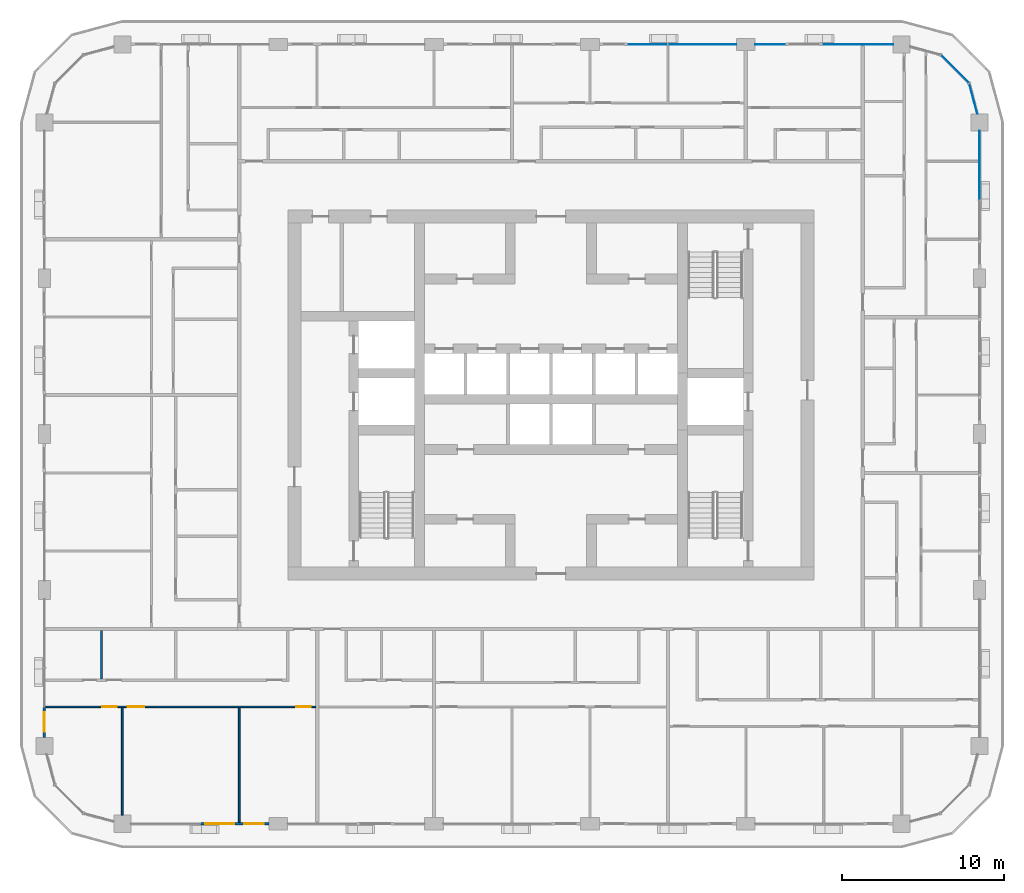
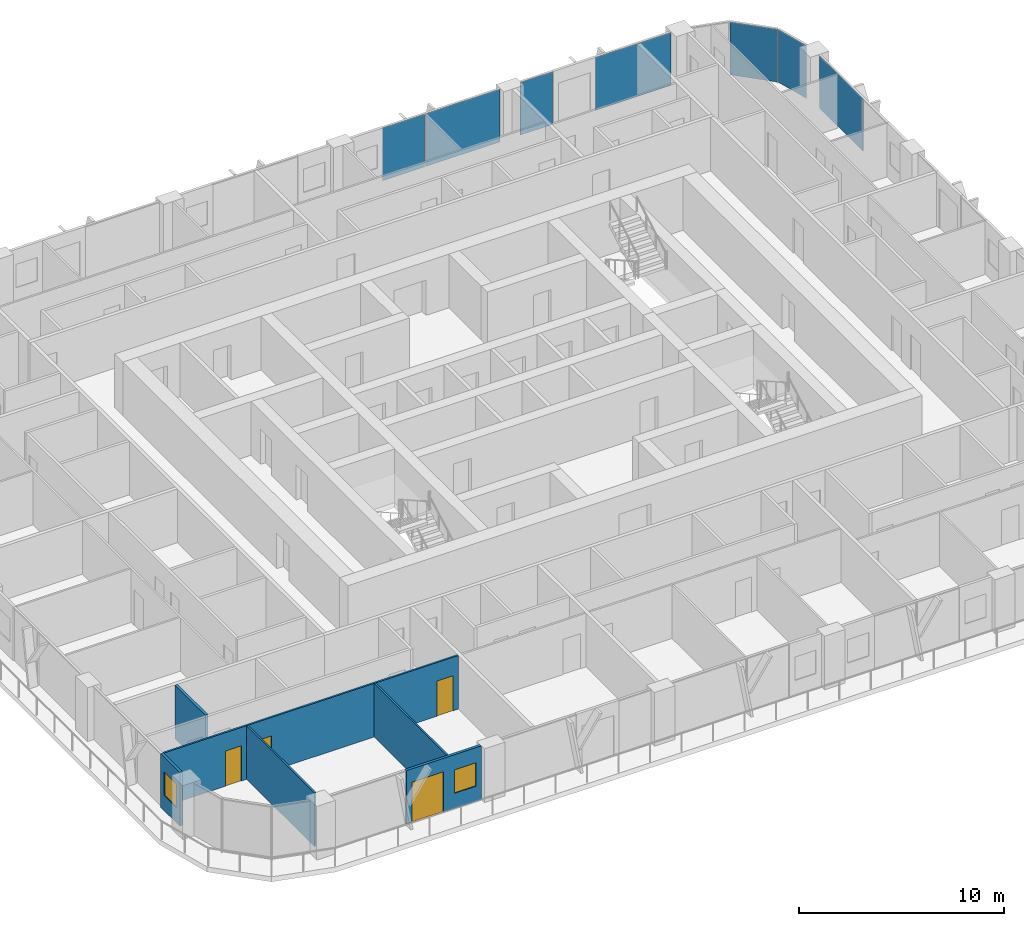
# One storey, part 8 of 22: 7 plates, 6 walls, 4 doors, 2 windows, 6 openings, 4 elements without a shape of their own.
"""IFC4 building model written with IfcOpenShell, lengths in metres."""

from ifc_helpers import new_model, si_unit, direction, frame, frame_2d, origin, origin_2d, place, context, subcontext, project, spatial, rectangle, extrude, material, layer, layer_set, type_object, element, fill, aggregate, save


model = new_model("IFC4")

# Units and contexts
model_context = context("Model", 3, precision=1e-05, world=origin(), true_north=direction((0.0, 1.0)))
body_context = subcontext(model_context, "Body", "Model", "MODEL_VIEW")
ifc_project = project(units=[si_unit("LENGTHUNIT", "METRE"), si_unit("AREAUNIT", "SQUARE_METRE"), si_unit("VOLUMEUNIT", "CUBIC_METRE"), si_unit("PLANEANGLEUNIT", "RADIAN"), si_unit("MASSUNIT", "GRAM", prefix="KILO")], contexts=[model_context])

# Site, building, storey
site_placement = place(None, origin())
site = spatial("IfcSite", under=ifc_project, at=site_placement, CompositionType="ELEMENT")
building_placement = place(site_placement, origin())
building = spatial("IfcBuilding", under=site, at=building_placement, Name="Madar Terraces", CompositionType="ELEMENT")
storey_placement = place(building_placement, frame((0.0, 0.0, 163.0)))
storey = spatial("IfcBuildingStorey", under=building, at=storey_placement, Name="L42", CompositionType="ELEMENT", Elevation=163.0)

# Curtain wall, plate
ifc_material_1 = material(Name="Glass, ceramic frit dark grey, with black aluminium frame", Category="aluminium")
ifc_layer_1 = layer(ifc_material_1, 0.199951171875)
ifc_layer_set_1 = layer_set([ifc_layer_1], Name="Facade curtain wall, fritted glass")
curtain_wall_type = type_object("IfcCurtainWallType", Name="Facade curtain wall, fritted glass", PredefinedType="NOTDEFINED", material=ifc_layer_set_1)
curtain_wall_1_placement = place(storey_placement, origin())
curtain_wall_1 = element("IfcCurtainWall", 1, at=curtain_wall_1_placement, inside=storey, type_object=curtain_wall_type, Name="Outer skin curtain wall east bay 4", PredefinedType="NOTDEFINED")
ifc_material_2 = material(Name="Glass, ceramic frit dark grey", Category="glass")
ifc_layer_2 = layer(ifc_material_2, 0.028076171875)
ifc_layer_set_2 = layer_set([ifc_layer_2], Name="Facade glass panel 28")
plate_type = type_object("IfcPlateType", Name="Facade glass panel 28", PredefinedType="CURTAIN_PANEL", material=ifc_layer_set_2)
plate_1_placement = place(storey_placement, frame((57.60009765625, 40.552490234375, 0.0), z_axis=(0.0, 0.0, 1.0), x_axis=(0.0, 1.0, 0.0)))
plate_1 = element("IfcPlate", 2, at=plate_1_placement, type_object=plate_type, Name="Panel 2", PredefinedType="CURTAIN_PANEL", context=body_context, shape_type="SweptSolid", body=[
    extrude(rectangle(XDim=4.2451171875, YDim=0.028076171875, at=origin_2d()), origin(), (0.0, 0.0, 1.0), 3.139892578125),
])
aggregate(curtain_wall_1, [plate_1])

# Curtain wall, plates
curtain_wall_2_placement = place(storey_placement, origin())
curtain_wall_2 = element("IfcCurtainWall", 3, at=curtain_wall_2_placement, inside=storey, type_object=curtain_wall_type, Name="Outer skin curtain wall north bay 1", PredefinedType="NOTDEFINED")
plate_2_placement = place(storey_placement, frame((50.137451171875, 48.0, 0.0), z_axis=(0.0, 0.0, 1.0), x_axis=(-1.0, 0.0, 0.0)))
plate_2 = element("IfcPlate", 4, at=plate_2_placement, type_object=plate_type, Name="Panel 1", PredefinedType="CURTAIN_PANEL", context=body_context, shape_type="SweptSolid", body=[
    extrude(rectangle(XDim=4.27490234375, YDim=0.028076171875, at=origin_2d()), origin(), (0.0, 0.0, 1.0), 3.139892578125),
])
plate_3_placement = place(storey_placement, frame((44.6875, 48.0, 0.0), z_axis=(0.0, 0.0, 1.0), x_axis=(-1.0, 0.0, 0.0)))
plate_3 = element("IfcPlate", 5, at=plate_3_placement, type_object=plate_type, Name="Panel 2", PredefinedType="CURTAIN_PANEL", context=body_context, shape_type="SweptSolid", body=[
    extrude(rectangle(XDim=1.824951171875, YDim=0.028076171875, at=origin_2d()), origin(), (0.0, 0.0, 1.0), 3.139892578125),
])
aggregate(curtain_wall_2, [plate_2, plate_3])

curtain_wall_3_placement = place(storey_placement, origin())
curtain_wall_3 = element("IfcCurtainWall", 6, at=curtain_wall_3_placement, inside=storey, type_object=curtain_wall_type, Name="Outer skin curtain wall north bay 2", PredefinedType="NOTDEFINED")
plate_4_placement = place(storey_placement, frame((40.527587890625, 48.0, 0.0), z_axis=(0.0, 0.0, 1.0), x_axis=(-1.0, 0.0, 0.0)))
plate_4 = element("IfcPlate", 7, at=plate_4_placement, type_object=plate_type, Name="Panel 1", PredefinedType="CURTAIN_PANEL", context=body_context, shape_type="SweptSolid", body=[
    extrude(rectangle(XDim=4.195068359375, YDim=0.028076171875, at=origin_2d()), origin(), (0.0, 0.0, 1.0), 3.139892578125),
])
plate_5_placement = place(storey_placement, frame((37.18505859375, 48.0, 0.0), z_axis=(0.0, 0.0, 1.0), x_axis=(-1.0, 0.0, 0.0)))
plate_5 = element("IfcPlate", 8, at=plate_5_placement, type_object=plate_type, Name="Panel 2", PredefinedType="CURTAIN_PANEL", context=body_context, shape_type="SweptSolid", body=[
    extrude(rectangle(XDim=2.3701171875, YDim=0.028076171875, at=origin_2d()), origin(), (0.0, 0.0, 1.0), 3.139892578125),
])
aggregate(curtain_wall_3, [plate_4, plate_5])

curtain_wall_4_placement = place(storey_placement, origin())
curtain_wall_4 = element("IfcCurtainWall", 9, at=curtain_wall_4_placement, inside=storey, type_object=curtain_wall_type, Name="Outer skin curtain wall north-east corner", PredefinedType="NOTDEFINED")
plate_6_placement = place(storey_placement, frame((57.2119140625, 44.64794921875, 0.0), z_axis=(0.0, 0.0, 1.0), x_axis=(-0.258819021888, 0.965925832509, 0.0)))
plate_6 = element("IfcPlate", 10, at=plate_6_placement, type_object=plate_type, Name="Panel 1", PredefinedType="CURTAIN_PANEL", context=body_context, shape_type="SweptSolid", body=[
    extrude(rectangle(XDim=1.9111328125, YDim=0.028076171875, at=origin_2d()), origin(), (0.0, 0.0, 1.0), 3.139892578125),
])
plate_7_placement = place(storey_placement, frame((56.078369140625, 46.478515625, 0.0), z_axis=(0.0, 0.0, 1.0), x_axis=(-0.707106781187, 0.707106781187, 0.0)))
plate_7 = element("IfcPlate", 11, at=plate_7_placement, type_object=plate_type, Name="Panel 2", PredefinedType="CURTAIN_PANEL", context=body_context, shape_type="SweptSolid", body=[
    extrude(rectangle(XDim=2.424560546875, YDim=0.028076171875, at=origin_2d()), origin(), (0.0, 0.0, 1.0), 3.139892578125),
])
aggregate(curtain_wall_4, [plate_6, plate_7])

# Wall, openings, door, window
ifc_material_3 = material(Name="Aluminium composite panel, black, over insulated backing", Category="aluminium")
ifc_layer_3 = layer(ifc_material_3, 0.14990234375)
ifc_layer_set_3 = layer_set([ifc_layer_3], Name="Facade bay panel 150")
wall_type_1 = type_object("IfcWallType", Name="Facade bay panel 150", PredefinedType="SOLIDWALL", material=ifc_layer_set_3)
wall_1_placement = place(storey_placement, frame((9.60009765625, 0.0, 0.0), z_axis=(0.0, 0.0, 1.0), x_axis=(1.0, 0.0, 0.0)))
wall_1 = element("IfcWall", 12, at=wall_1_placement, inside=storey, type_object=wall_type_1, Name="Facade bay panel", PredefinedType="SOLIDWALL", context=body_context, shape_type="SweptSolid", body=[
    extrude(rectangle(XDim=4.224853515625, YDim=0.14990234375, at=frame_2d((2.1123046875, 0.0))), origin(), (0.0, 0.0, 1.0), 3.199951171875),
])
opening_1_placement = place(wall_1_placement, frame((0.300048828125, 0.0, 0.0)))
opening_1 = element("IfcOpeningElement", 13, at=opening_1_placement, cuts=wall_1, Name="Opening ED1", PredefinedType="OPENING", context=body_context, shape_type="SweptSolid", body=[
    extrude(rectangle(XDim=1.800048828125, YDim=2.39990234375, at=frame_2d((0.89990234375, 1.199951171875))), frame((0.0, 0.0849609375, 0.0), z_axis=(0.0, -1.0, 0.0), x_axis=(1.0, 0.0, 0.0)), (0.0, 0.0, 1.0), 0.169921875),
])
opening_2_placement = place(wall_1_placement, frame((2.71240234375, 0.0, 0.89990234375)))
opening_2 = element("IfcOpeningElement", 14, at=opening_2_placement, cuts=wall_1, Name="Opening W1", PredefinedType="OPENING", context=body_context, shape_type="SweptSolid", body=[
    extrude(rectangle(XDim=1.199951171875, YDim=1.39990234375, at=frame_2d((0.60009765625, 0.699951171875))), frame((0.0, 0.0849609375, 0.0), z_axis=(0.0, -1.0, 0.0), x_axis=(1.0, 0.0, 0.0)), (0.0, 0.0, 1.0), 0.169921875),
])
ifc_material_4 = material(Name="Glass, clear, with black aluminium frame", Category="aluminium")
door_type_1 = type_object("IfcDoorType", Name="Balcony and terrace sliding door 1800 x 2400", OperationType="SLIDING_TO_LEFT", PredefinedType="DOOR", material=ifc_material_4)
door_1_placement = place(opening_1_placement, origin())
door_1 = element("IfcDoor", 15, at=door_1_placement, inside=storey, type_object=door_type_1, Name="Balcony door", OperationType="SLIDING_TO_LEFT", OverallHeight=2.39990234375, OverallWidth=1.800048828125, PredefinedType="DOOR", context=body_context, shape_type="SweptSolid", body=[
    extrude(rectangle(XDim=1.800048828125, YDim=2.39990234375, at=frame_2d((0.89990234375, 1.199951171875))), frame((0.0, 0.02490234375, 0.0), z_axis=(0.0, -1.0, 0.0), x_axis=(1.0, 0.0, 0.0)), (0.0, 0.0, 1.0), 0.050048828125),
])
fill(opening_1, door_1)
ifc_material_5 = material(Name="Glass, clear, with black aluminium frame", Category="aluminium")
window_type = type_object("IfcWindowType", Name="Vent window 1200 x 1400", PartitioningType="SINGLE_PANEL", PredefinedType="WINDOW", material=ifc_material_5)
window_1_placement = place(opening_2_placement, origin())
window_1 = element("IfcWindow", 16, at=window_1_placement, inside=storey, type_object=window_type, Name="Operable vent window", OverallHeight=1.39990234375, OverallWidth=1.199951171875, PartitioningType="SINGLE_PANEL", PredefinedType="WINDOW", context=body_context, shape_type="SweptSolid", body=[
    extrude(rectangle(XDim=1.199951171875, YDim=1.39990234375, at=frame_2d((0.60009765625, 0.699951171875))), frame((0.0, 0.030029296875, 0.0), z_axis=(0.0, -1.0, 0.0), x_axis=(1.0, 0.0, 0.0)), (0.0, 0.0, 1.0), 0.06005859375),
])
fill(opening_2, window_1)

# Wall, opening, window
wall_2_placement = place(storey_placement, frame((0.0, 7.199951171875, 0.0), z_axis=(0.0, 0.0, 1.0), x_axis=(0.0, -1.0, 0.0)))
wall_2 = element("IfcWall", 17, at=wall_2_placement, inside=storey, type_object=wall_type_1, Name="Facade bay panel", PredefinedType="SOLIDWALL", context=body_context, shape_type="SweptSolid", body=[
    extrude(rectangle(XDim=1.875, YDim=0.14990234375, at=frame_2d((0.9375, 0.0))), origin(), (0.0, 0.0, 1.0), 3.199951171875),
])
opening_3_placement = place(wall_2_placement, frame((0.33740234375, 0.0, 0.89990234375)))
opening_3 = element("IfcOpeningElement", 18, at=opening_3_placement, cuts=wall_2, Name="Opening W1", PredefinedType="OPENING", context=body_context, shape_type="SweptSolid", body=[
    extrude(rectangle(XDim=1.199951171875, YDim=1.39990234375, at=frame_2d((0.60009765625, 0.699951171875))), frame((0.0, 0.0849609375, 0.0), z_axis=(0.0, -1.0, 0.0), x_axis=(1.0, 0.0, 0.0)), (0.0, 0.0, 1.0), 0.169921875),
])
window_2_placement = place(opening_3_placement, origin())
window_2 = element("IfcWindow", 19, at=window_2_placement, inside=storey, type_object=window_type, Name="Operable vent window", OverallHeight=1.39990234375, OverallWidth=1.199951171875, PartitioningType="SINGLE_PANEL", PredefinedType="WINDOW", context=body_context, shape_type="SweptSolid", body=[
    extrude(rectangle(XDim=1.199951171875, YDim=1.39990234375, at=frame_2d((0.60009765625, 0.699951171875))), frame((0.0, 0.030029296875, 0.0), z_axis=(0.0, -1.0, 0.0), x_axis=(1.0, 0.0, 0.0)), (0.0, 0.0, 1.0), 0.06005859375),
])
fill(opening_3, window_2)

# Walls
ifc_material_6 = material(Name="Gypsum board on steel studs", Category="steel")
ifc_layer_4 = layer(ifc_material_6, 0.10009765625)
ifc_layer_set_4 = layer_set([ifc_layer_4], Name="Flat partition 100")
wall_type_2 = type_object("IfcWallType", Name="Flat partition 100", PredefinedType="PARTITIONING", material=ifc_layer_set_4)
wall_3_placement = place(storey_placement, frame((12.0, 7.14990234375, 0.0), z_axis=(0.0, 0.0, 1.0), x_axis=(0.0, -1.0, 0.0)))
element("IfcWall", 20, at=wall_3_placement, inside=storey, type_object=wall_type_2, Name="Flat partition 100", PredefinedType="PARTITIONING", context=body_context, shape_type="SweptSolid", body=[
    extrude(rectangle(XDim=7.0498046875, YDim=0.10009765625, at=frame_2d((3.52490234375, 0.0))), origin(), (0.0, 0.0, 1.0), 3.199951171875),
])
wall_4_placement = place(storey_placement, frame((4.800048828125, 7.14990234375, 0.0), z_axis=(0.0, 0.0, 1.0), x_axis=(0.0, -1.0, 0.0)))
element("IfcWall", 21, at=wall_4_placement, inside=storey, type_object=wall_type_2, Name="Flat partition 100", PredefinedType="PARTITIONING", context=body_context, shape_type="SweptSolid", body=[
    extrude(rectangle(XDim=6.625, YDim=0.10009765625, at=frame_2d((3.3125, 0.0))), origin(), (0.0, 0.0, 1.0), 3.199951171875),
])

# Wall, openings, doors
wall_5_placement = place(storey_placement, frame((16.699951171875, 7.199951171875, 0.0), z_axis=(0.0, 0.0, 1.0), x_axis=(-1.0, 0.0, 0.0)))
wall_5 = element("IfcWall", 22, at=wall_5_placement, inside=storey, type_object=wall_type_2, Name="Flat partition 100", PredefinedType="PARTITIONING", context=body_context, shape_type="SweptSolid", body=[
    extrude(rectangle(XDim=16.599853515625, YDim=0.10009765625, at=frame_2d((8.2998046875, 0.0))), origin(), (0.0, 0.0, 1.0), 3.199951171875),
])
opening_4_placement = place(wall_5_placement, frame((0.300048828125, 0.0, 0.0)))
opening_4 = element("IfcOpeningElement", 23, at=opening_4_placement, cuts=wall_5, Name="Opening D2", PredefinedType="OPENING", context=body_context, shape_type="SweptSolid", body=[
    extrude(rectangle(XDim=0.89990234375, YDim=2.10009765625, at=frame_2d((0.449951171875, 1.050048828125))), frame((0.0, 0.06005859375, 0.0), z_axis=(0.0, -1.0, 0.0), x_axis=(1.0, 0.0, 0.0)), (0.0, 0.0, 1.0), 0.1201171875),
])
opening_5_placement = place(wall_5_placement, frame((10.550048828125, 0.0, 0.0)))
opening_5 = element("IfcOpeningElement", 24, at=opening_5_placement, cuts=wall_5, Name="Opening D3", PredefinedType="OPENING", context=body_context, shape_type="SweptSolid", body=[
    extrude(rectangle(XDim=1.0, YDim=2.10009765625, at=frame_2d((0.5, 1.050048828125))), frame((0.0, 0.06005859375, 0.0), z_axis=(0.0, -1.0, 0.0), x_axis=(1.0, 0.0, 0.0)), (0.0, 0.0, 1.0), 0.1201171875),
])
opening_6_placement = place(wall_5_placement, frame((12.25, 0.0, 0.0)))
opening_6 = element("IfcOpeningElement", 25, at=opening_6_placement, cuts=wall_5, Name="Opening D2", PredefinedType="OPENING", context=body_context, shape_type="SweptSolid", body=[
    extrude(rectangle(XDim=0.89990234375, YDim=2.10009765625, at=frame_2d((0.449951171875, 1.050048828125))), frame((0.0, 0.06005859375, 0.0), z_axis=(0.0, -1.0, 0.0), x_axis=(1.0, 0.0, 0.0)), (0.0, 0.0, 1.0), 0.1201171875),
])
ifc_material_7 = material(Name="Timber door leaf", Category="wood")
door_type_2 = type_object("IfcDoorType", Name="Flat living room door 1000", OperationType="NOTDEFINED", PredefinedType="DOOR", material=ifc_material_7)
door_2_placement = place(opening_5_placement, origin())
door_2 = element("IfcDoor", 26, at=door_2_placement, inside=storey, type_object=door_type_2, Name="Flat living room door 1000", OperationType="SINGLE_SWING_RIGHT", OverallHeight=2.10009765625, OverallWidth=1.0, PredefinedType="DOOR", context=body_context, shape_type="SweptSolid", body=[
    extrude(rectangle(XDim=1.0, YDim=2.10009765625, at=frame_2d((0.5, 1.050048828125))), frame((0.0, 0.02490234375, 0.0), z_axis=(0.0, -1.0, 0.0), x_axis=(1.0, 0.0, 0.0)), (0.0, 0.0, 1.0), 0.050048828125),
])
fill(opening_5, door_2)
ifc_material_8 = material(Name="Timber door leaf", Category="wood")
door_type_3 = type_object("IfcDoorType", Name="Flat room door 900", OperationType="NOTDEFINED", PredefinedType="DOOR", material=ifc_material_8)
door_3_placement = place(opening_4_placement, origin())
door_3 = element("IfcDoor", 27, at=door_3_placement, inside=storey, type_object=door_type_3, Name="Flat room door 900", OperationType="SINGLE_SWING_LEFT", OverallHeight=2.10009765625, OverallWidth=0.89990234375, PredefinedType="DOOR", context=body_context, shape_type="SweptSolid", body=[
    extrude(rectangle(XDim=0.89990234375, YDim=2.10009765625, at=frame_2d((0.449951171875, 1.050048828125))), frame((0.0, 0.02490234375, 0.0), z_axis=(0.0, -1.0, 0.0), x_axis=(1.0, 0.0, 0.0)), (0.0, 0.0, 1.0), 0.050048828125),
])
fill(opening_4, door_3)
door_4_placement = place(opening_6_placement, origin())
door_4 = element("IfcDoor", 28, at=door_4_placement, inside=storey, type_object=door_type_3, Name="Flat room door 900", OperationType="SINGLE_SWING_LEFT", OverallHeight=2.10009765625, OverallWidth=0.89990234375, PredefinedType="DOOR", context=body_context, shape_type="SweptSolid", body=[
    extrude(rectangle(XDim=0.89990234375, YDim=2.10009765625, at=frame_2d((0.449951171875, 1.050048828125))), frame((0.0, 0.02490234375, 0.0), z_axis=(0.0, -1.0, 0.0), x_axis=(1.0, 0.0, 0.0)), (0.0, 0.0, 1.0), 0.050048828125),
])
fill(opening_6, door_4)

# Wall
ifc_material_9 = material(Name="Lightweight blockwork", Category="masonry")
ifc_layer_5 = layer(ifc_material_9, 0.14990234375)
ifc_layer_set_5 = layer_set([ifc_layer_5], Name="Flat wet-room partition 150")
wall_type_3 = type_object("IfcWallType", Name="Flat wet-room partition 150", PredefinedType="PARTITIONING", material=ifc_layer_set_5)
wall_6_placement = place(storey_placement, frame((3.521240234375, 11.89990234375, 0.0), z_axis=(0.0, 0.0, 1.0), x_axis=(0.0, -1.0, 0.0)))
element("IfcWall", 29, at=wall_6_placement, inside=storey, type_object=wall_type_3, Name="Flat wet-room partition 150", PredefinedType="PARTITIONING", context=body_context, shape_type="SweptSolid", body=[
    extrude(rectangle(XDim=2.974853515625, YDim=0.14990234375, at=frame_2d((1.4873046875, 0.0))), origin(), (0.0, 0.0, 1.0), 3.199951171875),
])

save(model, "model.ifc")
